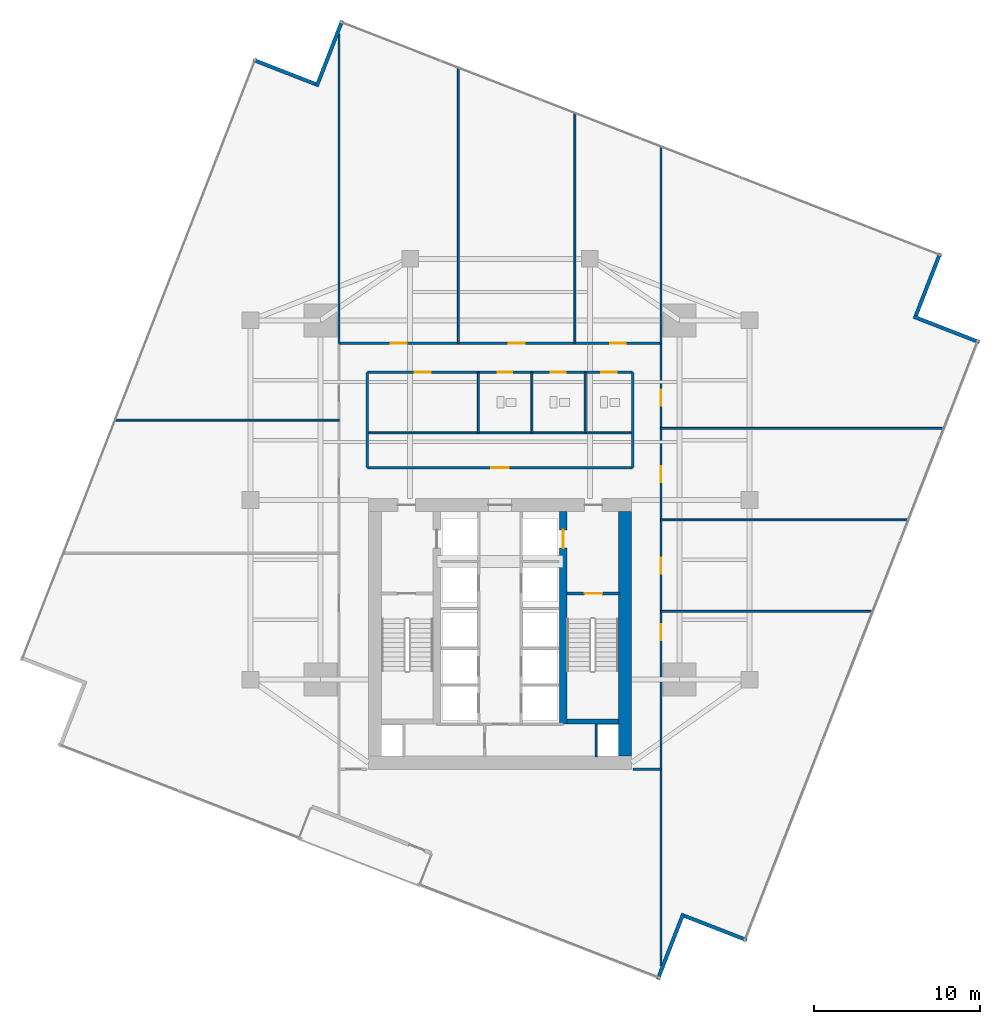
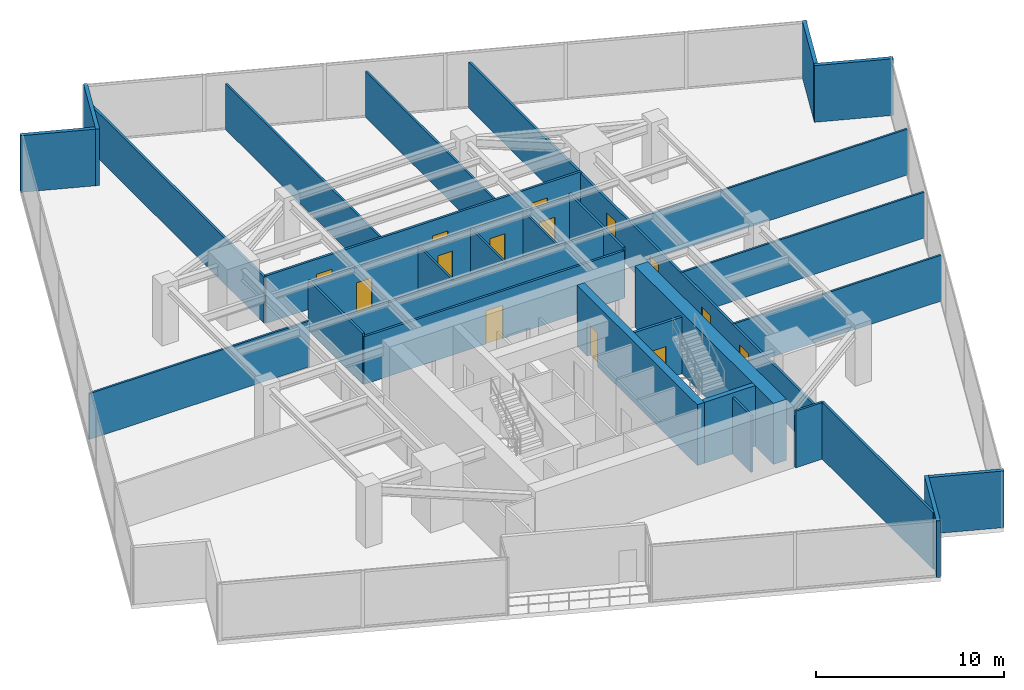
# One storey, part 23 of 26: 31 walls, 14 doors, 14 openings.
"""IFC4 building model written with IfcOpenShell, lengths in metres."""

from ifc_helpers import new_model, si_unit, direction, frame, frame_2d, origin, place, context, subcontext, project, spatial, rectangle, extrude, material, layer, layer_set, type_object, element, fill, save


model = new_model("IFC4")

# Units and contexts
model_context = context("Model", 3, precision=1e-05, world=origin(), true_north=direction((0.0, 1.0)))
body_context = subcontext(model_context, "Body", "Model", "MODEL_VIEW")
ifc_project = project(units=[si_unit("LENGTHUNIT", "METRE"), si_unit("AREAUNIT", "SQUARE_METRE"), si_unit("VOLUMEUNIT", "CUBIC_METRE"), si_unit("PLANEANGLEUNIT", "RADIAN"), si_unit("MASSUNIT", "GRAM", prefix="KILO")], contexts=[model_context])

# Site, building, storey
site_placement = place(None, origin())
site = spatial("IfcSite", under=ifc_project, at=site_placement, CompositionType="ELEMENT")
building_placement = place(site_placement, origin())
building = spatial("IfcBuilding", under=site, at=building_placement, Name="Krantzveldt Concourse Tower", CompositionType="ELEMENT")
storey_placement = place(building_placement, frame((0.0, 0.0, 129.550048828125)))
storey = spatial("IfcBuildingStorey", under=building, at=storey_placement, Name="L31", CompositionType="ELEMENT", Elevation=129.550048828125)

# Walls
ifc_material_1 = material(Name="Anodised aluminium 6063-T6", Category="aluminium")
ifc_layer_1 = layer(ifc_material_1, 0.219970703125, Name="Anodised aluminium 6063-T6", Category="aluminium")
ifc_layer_set_1 = layer_set([ifc_layer_1], Name="Anodised aluminium 6063-T6 (WL-EXT-NOTCH220)")
wall_type_1 = type_object("IfcWallType", Name="WL-EXT-NOTCH220", PredefinedType="ELEMENTEDWALL", material=ifc_layer_set_1)
wall_1_placement = place(storey_placement, frame((24.910400390625, 51.709716796875, 0.0), z_axis=(0.0, 0.0, 1.0), x_axis=(-0.932010363197, 0.362431625129, 0.0)))
element("IfcWall", 1, at=wall_1_placement, inside=storey, type_object=wall_type_1, Name="EW-L31-NCH00", PredefinedType="ELEMENTEDWALL", context=body_context, shape_type="SweptSolid", body=[
    extrude(rectangle(XDim=4.02490234375, YDim=0.219970703125, at=frame_2d((2.012451171875, 0.0))), origin(), (0.0, 0.0, 1.0), 3.669921875),
])
wall_2_placement = place(storey_placement, frame((45.48828125, -2.123779296875, 0.0), z_axis=(0.0, 0.0, 1.0), x_axis=(0.362429609335, 0.932011147078, 0.0)))
element("IfcWall", 2, at=wall_2_placement, inside=storey, type_object=wall_type_1, Name="EW-L31-NCH09", PredefinedType="ELEMENTEDWALL", context=body_context, shape_type="SweptSolid", body=[
    extrude(rectangle(XDim=4.2451171875, YDim=0.219970703125, at=frame_2d((2.12255859375, 0.0))), origin(), (0.0, 0.0, 1.0), 3.669921875),
])
wall_3_placement = place(storey_placement, frame((47.089599609375, 1.690185546875, 0.0), z_axis=(0.0, 0.0, 1.0), x_axis=(0.932010363197, -0.362431625129, 0.0)))
element("IfcWall", 3, at=wall_3_placement, inside=storey, type_object=wall_type_1, Name="EW-L31-NCH10", PredefinedType="ELEMENTEDWALL", context=body_context, shape_type="SweptSolid", body=[
    extrude(rectangle(XDim=4.02490234375, YDim=0.219970703125, at=frame_2d((2.012451171875, 0.0))), origin(), (0.0, 0.0, 1.0), 3.669921875),
])
wall_4_placement = place(storey_placement, frame((64.82373046875, 36.188232421875, 0.0), z_axis=(0.0, 0.0, 1.0), x_axis=(-0.932003592198, 0.362449036596, 0.0)))
element("IfcWall", 4, at=wall_4_placement, inside=storey, type_object=wall_type_1, Name="EW-L31-NCH12", PredefinedType="ELEMENTEDWALL", context=body_context, shape_type="SweptSolid", body=[
    extrude(rectangle(XDim=4.244873046875, YDim=0.219970703125, at=frame_2d((2.12255859375, 0.0))), origin(), (0.0, 0.0, 1.0), 3.669921875),
])
wall_5_placement = place(storey_placement, frame((61.009765625, 37.78955078125, 0.0), z_axis=(0.0, 0.0, 1.0), x_axis=(0.362431625129, 0.932010363197, 0.0)))
element("IfcWall", 5, at=wall_5_placement, inside=storey, type_object=wall_type_1, Name="EW-L31-NCH13", PredefinedType="ELEMENTEDWALL", context=body_context, shape_type="SweptSolid", body=[
    extrude(rectangle(XDim=4.02490234375, YDim=0.219970703125, at=frame_2d((2.012451171875, 0.0))), origin(), (0.0, 0.0, 1.0), 3.669921875),
])
wall_6_placement = place(storey_placement, frame((26.51171875, 55.523681640625, 0.0), z_axis=(0.0, 0.0, 1.0), x_axis=(-0.362449036596, -0.932003592198, 0.0)))
element("IfcWall", 6, at=wall_6_placement, inside=storey, type_object=wall_type_1, Name="EW-L31-NCH15", PredefinedType="ELEMENTEDWALL", context=body_context, shape_type="SweptSolid", body=[
    extrude(rectangle(XDim=4.244873046875, YDim=0.219970703125, at=frame_2d((2.12255859375, 0.0))), origin(), (0.0, 0.0, 1.0), 3.669921875),
])
ifc_material_2 = material(Name="Fire-rated gypsum plasterboard on steel stud", Category="steel")
ifc_layer_2 = layer(ifc_material_2, 0.1201171875, Name="Fire-rated gypsum plasterboard on steel stud", Category="steel")
ifc_layer_set_2 = layer_set([ifc_layer_2], Name="Fire-rated gypsum plasterboard on steel stud (WL-PART-120)")
wall_type_2 = type_object("IfcWallType", Name="WL-PART-120", PredefinedType="PARTITIONING", material=ifc_layer_set_2)
wall_7_placement = place(storey_placement, frame((28.02001953125, 30.739990234375, 0.0), z_axis=(0.0, 0.0, 1.0), x_axis=(1.0, 0.0, 0.0)))
element("IfcWall", 7, at=wall_7_placement, inside=storey, type_object=wall_type_2, Name="WP-L31-ISLM", PredefinedType="PARTITIONING", context=body_context, shape_type="SweptSolid", body=[
    extrude(rectangle(XDim=15.9599609375, YDim=0.1201171875, at=frame_2d((7.97998046875, 0.0))), origin(), (0.0, 0.0, 1.0), 3.079833984375),
])
for number, where, z_axis, x_axis, name in (
    (8, (37.919921875, 30.739990234375, 0.0), (0.0, 0.0, 1.0), (0.0, 1.0, 0.0), "WP-L31-WCD1"),
    (9, (41.1201171875, 30.739990234375, 0.0), (0.0, 0.0, 1.0), (0.0, 1.0, 0.0), "WP-L31-WCD2"),
    (10, (34.699951171875, 30.739990234375, 0.0), (0.0, 0.0, 1.0), (0.0, 1.0, 0.0), "WP-L31-WCD3"),
):
    element("IfcWall", number, at=place(storey_placement, frame(where, z_axis=z_axis, x_axis=x_axis)), inside=storey, type_object=wall_type_2, Name=name, PredefinedType="PARTITIONING", context=body_context, shape_type="SweptSolid", body=[
        extrude(rectangle(XDim=3.639892578125, YDim=0.1201171875, at=frame_2d((1.81982421875, 0.0))), origin(), (0.0, 0.0, 1.0), 3.169921875),
    ])
wall_8_placement = place(storey_placement, frame((33.5, 36.1201171875, 0.0), z_axis=(0.0, 0.0, 1.0), x_axis=(0.0, 1.0, 0.0)))
element("IfcWall", 11, at=wall_8_placement, inside=storey, type_object=wall_type_2, Name="WP-L31-ND1", PredefinedType="PARTITIONING", context=body_context, shape_type="SweptSolid", body=[
    extrude(rectangle(XDim=16.5625, YDim=0.1201171875, at=frame_2d((8.28125, 0.0))), origin(), (0.0, 0.0, 1.0), 2.969970703125),
])
wall_9_placement = place(storey_placement, frame((40.5, 36.1201171875, 0.0), z_axis=(0.0, 0.0, 1.0), x_axis=(0.0, 1.0, 0.0)))
element("IfcWall", 12, at=wall_9_placement, inside=storey, type_object=wall_type_2, Name="WP-L31-ND2", PredefinedType="PARTITIONING", context=body_context, shape_type="SweptSolid", body=[
    extrude(rectangle(XDim=13.840576171875, YDim=0.1201171875, at=frame_2d((6.92041015625, 0.0))), origin(), (0.0, 0.0, 1.0), 2.969970703125),
])
wall_10_placement = place(storey_placement, frame((12.856201171875, 31.5, 0.0), z_axis=(0.0, 0.0, 1.0), x_axis=(1.0, 0.0, 0.0)))
element("IfcWall", 13, at=wall_10_placement, inside=storey, type_object=wall_type_2, Name="WP-L31-WD2", PredefinedType="PARTITIONING", context=body_context, shape_type="SweptSolid", body=[
    extrude(rectangle(XDim=13.4638671875, YDim=0.1201171875, at=frame_2d((6.73193359375, 0.0))), origin(), (0.0, 0.0, 1.0), 2.969970703125),
])
wall_11_placement = place(storey_placement, frame((45.679931640625, 20.0, 0.0), z_axis=(0.0, 0.0, 1.0), x_axis=(1.0, 0.0, 0.0)))
element("IfcWall", 14, at=wall_11_placement, inside=storey, type_object=wall_type_2, Name="WP-L31-ED1", PredefinedType="PARTITIONING", context=body_context, shape_type="SweptSolid", body=[
    extrude(rectangle(XDim=12.72509765625, YDim=0.1201171875, at=frame_2d((6.362548828125, 0.0))), origin(), (0.0, 0.0, 1.0), 2.969970703125),
])
wall_12_placement = place(storey_placement, frame((45.679931640625, 25.5, 0.0), z_axis=(0.0, 0.0, 1.0), x_axis=(1.0, 0.0, 0.0)))
element("IfcWall", 15, at=wall_12_placement, inside=storey, type_object=wall_type_2, Name="WP-L31-ED2", PredefinedType="PARTITIONING", context=body_context, shape_type="SweptSolid", body=[
    extrude(rectangle(XDim=14.864013671875, YDim=0.1201171875, at=frame_2d((7.43212890625, 0.0))), origin(), (0.0, 0.0, 1.0), 2.969970703125),
])
wall_13_placement = place(storey_placement, frame((45.679931640625, 31.0, 0.0), z_axis=(0.0, 0.0, 1.0), x_axis=(1.0, 0.0, 0.0)))
element("IfcWall", 16, at=wall_13_placement, inside=storey, type_object=wall_type_2, Name="WP-L31-ED3", PredefinedType="PARTITIONING", context=body_context, shape_type="SweptSolid", body=[
    extrude(rectangle(XDim=17.002685546875, YDim=0.1201171875, at=frame_2d((8.50146484375, 0.0))), origin(), (0.0, 0.0, 1.0), 2.969970703125),
])

# Wall, opening, door
ifc_layer_3 = layer(ifc_material_2, 0.139892578125, Name="Fire-rated gypsum plasterboard on steel stud", Category="steel")
ifc_layer_set_3 = layer_set([ifc_layer_3], Name="Fire-rated gypsum plasterboard on steel stud (WL-PART-140)")
wall_type_3 = type_object("IfcWallType", Name="WL-PART-140", PredefinedType="PARTITIONING", material=ifc_layer_set_3)
wall_14_placement = place(storey_placement, frame((28.02001953125, 28.639892578125, 0.0), z_axis=(0.0, 0.0, 1.0), x_axis=(1.0, 0.0, 0.0)))
wall_14 = element("IfcWall", 17, at=wall_14_placement, inside=storey, type_object=wall_type_3, Name="WP-L31-ISLS", PredefinedType="PARTITIONING", context=body_context, shape_type="SweptSolid", body=[
    extrude(rectangle(XDim=15.9599609375, YDim=0.139892578125, at=frame_2d((7.97998046875, 0.0))), origin(), (0.0, 0.0, 1.0), 3.079833984375),
])
opening_1_placement = place(wall_14_placement, frame((7.455078125, 0.0, 0.0)))
opening_1 = element("IfcOpeningElement", 18, at=opening_1_placement, cuts=wall_14, Name="Opening D-IN105", PredefinedType="OPENING", context=body_context, shape_type="SweptSolid", body=[
    extrude(rectangle(XDim=1.050048828125, YDim=2.14990234375, at=frame_2d((0.52490234375, 1.074951171875))), frame((0.0, 0.080078125, 0.0), z_axis=(0.0, -1.0, 0.0), x_axis=(1.0, 0.0, 0.0)), (0.0, 0.0, 1.0), 0.159912109375),
])
ifc_material_3 = material(Name="Hardwood timber", Category="wood")
door_type_1 = type_object("IfcDoorType", Name="DR-INT-1050", OperationType="SINGLE_SWING_LEFT", PredefinedType="DOOR", material=ifc_material_3)
door_1_placement = place(opening_1_placement, origin())
door_1 = element("IfcDoor", 19, at=door_1_placement, inside=storey, type_object=door_type_1, Name="DR-L31-MIDB", OperationType="SINGLE_SWING_LEFT", OverallHeight=2.14990234375, OverallWidth=1.050048828125, PredefinedType="DOOR", context=body_context, shape_type="SweptSolid", body=[
    extrude(rectangle(XDim=1.050048828125, YDim=2.14990234375, at=frame_2d((0.52490234375, 1.074951171875))), frame((0.0, 0.02490234375, 0.0), z_axis=(0.0, -1.0, 0.0), x_axis=(1.0, 0.0, 0.0)), (0.0, 0.0, 1.0), 0.050048828125),
])
fill(opening_1, door_1)

# Wall, openings, doors
wall_15_placement = place(storey_placement, frame((28.02001953125, 34.3798828125, 0.0), z_axis=(0.0, 0.0, 1.0), x_axis=(1.0, 0.0, 0.0)))
wall_15 = element("IfcWall", 20, at=wall_15_placement, inside=storey, type_object=wall_type_3, Name="WP-L31-ISLN", PredefinedType="PARTITIONING", context=body_context, shape_type="SweptSolid", body=[
    extrude(rectangle(XDim=15.9599609375, YDim=0.139892578125, at=frame_2d((7.97998046875, 0.0))), origin(), (0.0, 0.0, 1.0), 3.079833984375),
])
opening_2_placement = place(wall_15_placement, frame((7.830078125, 0.0, 0.0)))
opening_2 = element("IfcOpeningElement", 21, at=opening_2_placement, cuts=wall_15, Name="Opening D-IN090", PredefinedType="OPENING", context=body_context, shape_type="SweptSolid", body=[
    extrude(rectangle(XDim=0.89990234375, YDim=2.10009765625, at=frame_2d((0.449951171875, 1.050048828125))), frame((0.0, 0.080078125, 0.0), z_axis=(0.0, -1.0, 0.0), x_axis=(1.0, 0.0, 0.0)), (0.0, 0.0, 1.0), 0.159912109375),
])
opening_3_placement = place(wall_15_placement, frame((11.030029296875, 0.0, 0.0)))
opening_3 = element("IfcOpeningElement", 22, at=opening_3_placement, cuts=wall_15, Name="Opening D-IN090", PredefinedType="OPENING", context=body_context, shape_type="SweptSolid", body=[
    extrude(rectangle(XDim=0.89990234375, YDim=2.10009765625, at=frame_2d((0.449951171875, 1.050048828125))), frame((0.0, 0.080078125, 0.0), z_axis=(0.0, -1.0, 0.0), x_axis=(1.0, 0.0, 0.0)), (0.0, 0.0, 1.0), 0.159912109375),
])
opening_4_placement = place(wall_15_placement, frame((14.054931640625, 0.0, 0.0)))
opening_4 = element("IfcOpeningElement", 23, at=opening_4_placement, cuts=wall_15, Name="Opening D-IN095", PredefinedType="OPENING", context=body_context, shape_type="SweptSolid", body=[
    extrude(rectangle(XDim=0.949951171875, YDim=2.10009765625, at=frame_2d((0.47509765625, 1.050048828125))), frame((0.0, 0.080078125, 0.0), z_axis=(0.0, -1.0, 0.0), x_axis=(1.0, 0.0, 0.0)), (0.0, 0.0, 1.0), 0.159912109375),
])
opening_5_placement = place(wall_15_placement, frame((2.85498046875, 0.0, 0.0)))
opening_5 = element("IfcOpeningElement", 24, at=opening_5_placement, cuts=wall_15, Name="Opening D-IN095", PredefinedType="OPENING", context=body_context, shape_type="SweptSolid", body=[
    extrude(rectangle(XDim=0.949951171875, YDim=2.10009765625, at=frame_2d((0.47509765625, 1.050048828125))), frame((0.0, 0.080078125, 0.0), z_axis=(0.0, -1.0, 0.0), x_axis=(1.0, 0.0, 0.0)), (0.0, 0.0, 1.0), 0.159912109375),
])
door_type_2 = type_object("IfcDoorType", Name="DR-INT-900", OperationType="SINGLE_SWING_LEFT", PredefinedType="DOOR", material=ifc_material_3)
door_2_placement = place(opening_2_placement, origin())
door_2 = element("IfcDoor", 25, at=door_2_placement, inside=storey, type_object=door_type_2, Name="DR-L31-WCM", OperationType="SINGLE_SWING_LEFT", OverallHeight=2.10009765625, OverallWidth=0.89990234375, PredefinedType="DOOR", context=body_context, shape_type="SweptSolid", body=[
    extrude(rectangle(XDim=0.89990234375, YDim=2.10009765625, at=frame_2d((0.449951171875, 1.050048828125))), frame((0.0, 0.02490234375, 0.0), z_axis=(0.0, -1.0, 0.0), x_axis=(1.0, 0.0, 0.0)), (0.0, 0.0, 1.0), 0.050048828125),
])
fill(opening_2, door_2)
door_3_placement = place(opening_3_placement, origin())
door_3 = element("IfcDoor", 26, at=door_3_placement, inside=storey, type_object=door_type_2, Name="DR-L31-WCF", OperationType="SINGLE_SWING_RIGHT", OverallHeight=2.10009765625, OverallWidth=0.89990234375, PredefinedType="DOOR", context=body_context, shape_type="SweptSolid", body=[
    extrude(rectangle(XDim=0.89990234375, YDim=2.10009765625, at=frame_2d((0.449951171875, 1.050048828125))), frame((0.0, 0.02490234375, 0.0), z_axis=(0.0, -1.0, 0.0), x_axis=(1.0, 0.0, 0.0)), (0.0, 0.0, 1.0), 0.050048828125),
])
fill(opening_3, door_3)
door_type_3 = type_object("IfcDoorType", Name="DR-INT-950", OperationType="SINGLE_SWING_LEFT", PredefinedType="DOOR", material=ifc_material_3)
door_4_placement = place(opening_4_placement, origin())
door_4 = element("IfcDoor", 27, at=door_4_placement, inside=storey, type_object=door_type_3, Name="DR-L31-WCA", OperationType="SINGLE_SWING_LEFT", OverallHeight=2.10009765625, OverallWidth=0.949951171875, PredefinedType="DOOR", context=body_context, shape_type="SweptSolid", body=[
    extrude(rectangle(XDim=0.949951171875, YDim=2.10009765625, at=frame_2d((0.47509765625, 1.050048828125))), frame((0.0, 0.02490234375, 0.0), z_axis=(0.0, -1.0, 0.0), x_axis=(1.0, 0.0, 0.0)), (0.0, 0.0, 1.0), 0.050048828125),
])
fill(opening_4, door_4)
door_5_placement = place(opening_5_placement, origin())
door_5 = element("IfcDoor", 28, at=door_5_placement, inside=storey, type_object=door_type_3, Name="DR-L31-PNT", OperationType="SINGLE_SWING_RIGHT", OverallHeight=2.10009765625, OverallWidth=0.949951171875, PredefinedType="DOOR", context=body_context, shape_type="SweptSolid", body=[
    extrude(rectangle(XDim=0.949951171875, YDim=2.10009765625, at=frame_2d((0.47509765625, 1.050048828125))), frame((0.0, 0.02490234375, 0.0), z_axis=(0.0, -1.0, 0.0), x_axis=(1.0, 0.0, 0.0)), (0.0, 0.0, 1.0), 0.050048828125),
])
fill(opening_5, door_5)

# Walls
for number, where, z_axis, x_axis, name in (
    (29, (28.02001953125, 28.639892578125, 0.0), (0.0, 0.0, 1.0), (0.0, 1.0, 0.0), "WP-L31-ISLW"),
    (30, (43.97998046875, 28.639892578125, 0.0), (0.0, 0.0, 1.0), (0.0, 1.0, 0.0), "WP-L31-ISLE"),
):
    element("IfcWall", number, at=place(storey_placement, frame(where, z_axis=z_axis, x_axis=x_axis)), inside=storey, type_object=wall_type_3, Name=name, PredefinedType="PARTITIONING", context=body_context, shape_type="SweptSolid", body=[
        extrude(rectangle(XDim=5.739990234375, YDim=0.139892578125, at=frame_2d((2.8701171875, 0.0))), origin(), (0.0, 0.0, 1.0), 3.27001953125),
    ])

# Wall, openings, doors
wall_16_placement = place(storey_placement, frame((26.320068359375, 36.1201171875, 0.0), z_axis=(0.0, 0.0, 1.0), x_axis=(1.0, 0.0, 0.0)))
wall_16 = element("IfcWall", 31, at=wall_16_placement, inside=storey, type_object=wall_type_3, Name="WP-L31-CTOP", PredefinedType="PARTITIONING", context=body_context, shape_type="SweptSolid", body=[
    extrude(rectangle(XDim=19.35986328125, YDim=0.139892578125, at=frame_2d((9.679931640625, 0.0))), origin(), (0.0, 0.0, 1.0), 3.079833984375),
])
opening_6_placement = place(wall_16_placement, frame((3.114990234375, 0.0, 0.0)))
opening_6 = element("IfcOpeningElement", 32, at=opening_6_placement, cuts=wall_16, Name="Opening D-IN095", PredefinedType="OPENING", context=body_context, shape_type="SweptSolid", body=[
    extrude(rectangle(XDim=0.949951171875, YDim=2.10009765625, at=frame_2d((0.47509765625, 1.050048828125))), frame((0.0, 0.080078125, 0.0), z_axis=(0.0, -1.0, 0.0), x_axis=(1.0, 0.0, 0.0)), (0.0, 0.0, 1.0), 0.159912109375),
])
opening_7_placement = place(wall_16_placement, frame((10.205078125, 0.0, 0.0)))
opening_7 = element("IfcOpeningElement", 33, at=opening_7_placement, cuts=wall_16, Name="Opening D-IN095", PredefinedType="OPENING", context=body_context, shape_type="SweptSolid", body=[
    extrude(rectangle(XDim=0.949951171875, YDim=2.10009765625, at=frame_2d((0.47509765625, 1.050048828125))), frame((0.0, 0.080078125, 0.0), z_axis=(0.0, -1.0, 0.0), x_axis=(1.0, 0.0, 0.0)), (0.0, 0.0, 1.0), 0.159912109375),
])
opening_8_placement = place(wall_16_placement, frame((16.294921875, 0.0, 0.0)))
opening_8 = element("IfcOpeningElement", 34, at=opening_8_placement, cuts=wall_16, Name="Opening D-IN095", PredefinedType="OPENING", context=body_context, shape_type="SweptSolid", body=[
    extrude(rectangle(XDim=0.949951171875, YDim=2.10009765625, at=frame_2d((0.47509765625, 1.050048828125))), frame((0.0, 0.080078125, 0.0), z_axis=(0.0, -1.0, 0.0), x_axis=(1.0, 0.0, 0.0)), (0.0, 0.0, 1.0), 0.159912109375),
])
door_6_placement = place(opening_6_placement, origin())
door_6 = element("IfcDoor", 35, at=door_6_placement, inside=storey, type_object=door_type_3, Name="DR-L31-NR1", OperationType="SINGLE_SWING_LEFT", OverallHeight=2.10009765625, OverallWidth=0.949951171875, PredefinedType="DOOR", context=body_context, shape_type="SweptSolid", body=[
    extrude(rectangle(XDim=0.949951171875, YDim=2.10009765625, at=frame_2d((0.47509765625, 1.050048828125))), frame((0.0, 0.02490234375, 0.0), z_axis=(0.0, -1.0, 0.0), x_axis=(1.0, 0.0, 0.0)), (0.0, 0.0, 1.0), 0.050048828125),
])
fill(opening_6, door_6)
door_7_placement = place(opening_7_placement, origin())
door_7 = element("IfcDoor", 36, at=door_7_placement, inside=storey, type_object=door_type_3, Name="DR-L31-NR2", OperationType="SINGLE_SWING_LEFT", OverallHeight=2.10009765625, OverallWidth=0.949951171875, PredefinedType="DOOR", context=body_context, shape_type="SweptSolid", body=[
    extrude(rectangle(XDim=0.949951171875, YDim=2.10009765625, at=frame_2d((0.47509765625, 1.050048828125))), frame((0.0, 0.02490234375, 0.0), z_axis=(0.0, -1.0, 0.0), x_axis=(1.0, 0.0, 0.0)), (0.0, 0.0, 1.0), 0.050048828125),
])
fill(opening_7, door_7)
door_8_placement = place(opening_8_placement, origin())
door_8 = element("IfcDoor", 37, at=door_8_placement, inside=storey, type_object=door_type_3, Name="DR-L31-NR3", OperationType="SINGLE_SWING_LEFT", OverallHeight=2.10009765625, OverallWidth=0.949951171875, PredefinedType="DOOR", context=body_context, shape_type="SweptSolid", body=[
    extrude(rectangle(XDim=0.949951171875, YDim=2.10009765625, at=frame_2d((0.47509765625, 1.050048828125))), frame((0.0, 0.02490234375, 0.0), z_axis=(0.0, -1.0, 0.0), x_axis=(1.0, 0.0, 0.0)), (0.0, 0.0, 1.0), 0.050048828125),
])
fill(opening_8, door_8)

wall_17_placement = place(storey_placement, frame((45.679931640625, 10.5, 0.0), z_axis=(0.0, 0.0, 1.0), x_axis=(0.0, 1.0, 0.0)))
wall_17 = element("IfcWall", 38, at=wall_17_placement, inside=storey, type_object=wall_type_3, Name="WP-L31-CEAST", PredefinedType="PARTITIONING", context=body_context, shape_type="SweptSolid", body=[
    extrude(rectangle(XDim=25.6201171875, YDim=0.139892578125, at=frame_2d((12.81005859375, 0.0))), origin(), (0.0, 0.0, 1.0), 2.969970703125),
])
opening_9_placement = place(wall_17_placement, frame((7.77490234375, 0.0, 0.0)))
opening_9 = element("IfcOpeningElement", 39, at=opening_9_placement, cuts=wall_17, Name="Opening D-IN095", PredefinedType="OPENING", context=body_context, shape_type="SweptSolid", body=[
    extrude(rectangle(XDim=0.949951171875, YDim=2.10009765625, at=frame_2d((0.47509765625, 1.050048828125))), frame((0.0, 0.080078125, 0.0), z_axis=(0.0, -1.0, 0.0), x_axis=(1.0, 0.0, 0.0)), (0.0, 0.0, 1.0), 0.159912109375),
])
opening_10_placement = place(wall_17_placement, frame((11.77490234375, 0.0, 0.0)))
opening_10 = element("IfcOpeningElement", 40, at=opening_10_placement, cuts=wall_17, Name="Opening D-IN095", PredefinedType="OPENING", context=body_context, shape_type="SweptSolid", body=[
    extrude(rectangle(XDim=0.949951171875, YDim=2.10009765625, at=frame_2d((0.47509765625, 1.050048828125))), frame((0.0, 0.080078125, 0.0), z_axis=(0.0, -1.0, 0.0), x_axis=(1.0, 0.0, 0.0)), (0.0, 0.0, 1.0), 0.159912109375),
])
opening_11_placement = place(wall_17_placement, frame((17.27490234375, 0.0, 0.0)))
opening_11 = element("IfcOpeningElement", 41, at=opening_11_placement, cuts=wall_17, Name="Opening D-IN095", PredefinedType="OPENING", context=body_context, shape_type="SweptSolid", body=[
    extrude(rectangle(XDim=0.949951171875, YDim=2.10009765625, at=frame_2d((0.47509765625, 1.050048828125))), frame((0.0, 0.080078125, 0.0), z_axis=(0.0, -1.0, 0.0), x_axis=(1.0, 0.0, 0.0)), (0.0, 0.0, 1.0), 0.159912109375),
])
opening_12_placement = place(wall_17_placement, frame((21.875, 0.0, 0.0)))
opening_12 = element("IfcOpeningElement", 42, at=opening_12_placement, cuts=wall_17, Name="Opening D-IN095", PredefinedType="OPENING", context=body_context, shape_type="SweptSolid", body=[
    extrude(rectangle(XDim=0.949951171875, YDim=2.10009765625, at=frame_2d((0.47509765625, 1.050048828125))), frame((0.0, 0.080078125, 0.0), z_axis=(0.0, -1.0, 0.0), x_axis=(1.0, 0.0, 0.0)), (0.0, 0.0, 1.0), 0.159912109375),
])
door_9_placement = place(opening_9_placement, origin())
door_9 = element("IfcDoor", 43, at=door_9_placement, inside=storey, type_object=door_type_3, Name="DR-L31-ER1", OperationType="SINGLE_SWING_LEFT", OverallHeight=2.10009765625, OverallWidth=0.949951171875, PredefinedType="DOOR", context=body_context, shape_type="SweptSolid", body=[
    extrude(rectangle(XDim=0.949951171875, YDim=2.10009765625, at=frame_2d((0.47509765625, 1.050048828125))), frame((0.0, 0.02490234375, 0.0), z_axis=(0.0, -1.0, 0.0), x_axis=(1.0, 0.0, 0.0)), (0.0, 0.0, 1.0), 0.050048828125),
])
fill(opening_9, door_9)
door_10_placement = place(opening_10_placement, origin())
door_10 = element("IfcDoor", 44, at=door_10_placement, inside=storey, type_object=door_type_3, Name="DR-L31-ER2", OperationType="SINGLE_SWING_LEFT", OverallHeight=2.10009765625, OverallWidth=0.949951171875, PredefinedType="DOOR", context=body_context, shape_type="SweptSolid", body=[
    extrude(rectangle(XDim=0.949951171875, YDim=2.10009765625, at=frame_2d((0.47509765625, 1.050048828125))), frame((0.0, 0.02490234375, 0.0), z_axis=(0.0, -1.0, 0.0), x_axis=(1.0, 0.0, 0.0)), (0.0, 0.0, 1.0), 0.050048828125),
])
fill(opening_10, door_10)
door_11_placement = place(opening_11_placement, origin())
door_11 = element("IfcDoor", 45, at=door_11_placement, inside=storey, type_object=door_type_3, Name="DR-L31-ER3", OperationType="SINGLE_SWING_LEFT", OverallHeight=2.10009765625, OverallWidth=0.949951171875, PredefinedType="DOOR", context=body_context, shape_type="SweptSolid", body=[
    extrude(rectangle(XDim=0.949951171875, YDim=2.10009765625, at=frame_2d((0.47509765625, 1.050048828125))), frame((0.0, 0.02490234375, 0.0), z_axis=(0.0, -1.0, 0.0), x_axis=(1.0, 0.0, 0.0)), (0.0, 0.0, 1.0), 0.050048828125),
])
fill(opening_11, door_11)
door_12_placement = place(opening_12_placement, origin())
door_12 = element("IfcDoor", 46, at=door_12_placement, inside=storey, type_object=door_type_3, Name="DR-L31-ER4", OperationType="SINGLE_SWING_LEFT", OverallHeight=2.10009765625, OverallWidth=0.949951171875, PredefinedType="DOOR", context=body_context, shape_type="SweptSolid", body=[
    extrude(rectangle(XDim=0.949951171875, YDim=2.10009765625, at=frame_2d((0.47509765625, 1.050048828125))), frame((0.0, 0.02490234375, 0.0), z_axis=(0.0, -1.0, 0.0), x_axis=(1.0, 0.0, 0.0)), (0.0, 0.0, 1.0), 0.050048828125),
])
fill(opening_12, door_12)

# Walls
wall_18_placement = place(storey_placement, frame((44.0, 10.5, 0.0), z_axis=(0.0, 0.0, 1.0), x_axis=(1.0, 0.0, 0.0)))
element("IfcWall", 47, at=wall_18_placement, inside=storey, type_object=wall_type_3, Name="WP-L31-CEBOT", PredefinedType="PARTITIONING", context=body_context, shape_type="SweptSolid", body=[
    extrude(rectangle(XDim=1.679931640625, YDim=0.139892578125, at=frame_2d((0.83984375, 0.0))), origin(), (0.0, 0.0, 1.0), 3.669921875),
])
wall_19_placement = place(storey_placement, frame((26.320068359375, 36.1201171875, 0.0), z_axis=(0.0, 0.0, 1.0), x_axis=(0.0, 1.0, 0.0)))
element("IfcWall", 48, at=wall_19_placement, inside=storey, type_object=wall_type_3, Name="WP-L31-NWL", PredefinedType="PARTITIONING", context=body_context, shape_type="SweptSolid", body=[
    extrude(rectangle(XDim=18.593505859375, YDim=0.139892578125, at=frame_2d((9.296875, 0.0))), origin(), (0.0, 0.0, 1.0), 2.969970703125),
])
wall_20_placement = place(storey_placement, frame((45.679931640625, 36.1201171875, 0.0), z_axis=(0.0, 0.0, 1.0), x_axis=(0.0, 1.0, 0.0)))
element("IfcWall", 49, at=wall_20_placement, inside=storey, type_object=wall_type_3, Name="WP-L31-NER", PredefinedType="PARTITIONING", context=body_context, shape_type="SweptSolid", body=[
    extrude(rectangle(XDim=11.826171875, YDim=0.139892578125, at=frame_2d((5.9130859375, 0.0))), origin(), (0.0, 0.0, 1.0), 2.969970703125),
])
wall_21_placement = place(storey_placement, frame((45.679931640625, -1.3134765625, 0.0), z_axis=(0.0, 0.0, 1.0), x_axis=(0.0, 1.0, 0.0)))
element("IfcWall", 50, at=wall_21_placement, inside=storey, type_object=wall_type_3, Name="WP-L31-SER", PredefinedType="PARTITIONING", context=body_context, shape_type="SweptSolid", body=[
    extrude(rectangle(XDim=11.8134765625, YDim=0.139892578125, at=frame_2d((5.90673828125, 0.0))), origin(), (0.0, 0.0, 1.0), 3.669921875),
])
ifc_layer_4 = layer(ifc_material_2, 0.139892578125, Name="Fire-rated gypsum plasterboard on steel stud", Category="steel")
ifc_layer_set_4 = layer_set([ifc_layer_4], Name="Fire-rated gypsum plasterboard on steel stud (WL-PART-FR140)")
wall_type_4 = type_object("IfcWallType", Name="WL-PART-FR140", PredefinedType="PARTITIONING", material=ifc_layer_set_4)
wall_22_placement = place(storey_placement, frame((41.780029296875, 11.25, 0.0), z_axis=(0.0, 0.0, 1.0), x_axis=(0.0, 1.0, 0.0)))
element("IfcWall", 51, at=wall_22_placement, inside=storey, type_object=wall_type_4, Name="WP-L31-RSE", PredefinedType="PARTITIONING", context=body_context, shape_type="SweptSolid", body=[
    extrude(rectangle(XDim=1.969970703125, YDim=0.1201171875, at=frame_2d((0.98486328125, 0.0))), origin(), (0.0, 0.0, 1.0), 3.669921875),
])

# Wall, opening, door
ifc_layer_5 = layer(ifc_material_2, 0.159912109375, Name="Fire-rated gypsum plasterboard on steel stud", Category="steel")
ifc_layer_set_5 = layer_set([ifc_layer_5], Name="Fire-rated gypsum plasterboard on steel stud (WL-PART-FR160)")
wall_type_5 = type_object("IfcWallType", Name="WL-PART-FR160", PredefinedType="PARTITIONING", material=ifc_layer_set_5)
wall_23_placement = place(storey_placement, frame((40.0400390625, 21.080078125, 0.0), z_axis=(0.0, 0.0, 1.0), x_axis=(1.0, 0.0, 0.0)))
wall_23 = element("IfcWall", 52, at=wall_23_placement, inside=storey, type_object=wall_type_5, Name="WP-L31-ST2", PredefinedType="PARTITIONING", context=body_context, shape_type="SweptSolid", body=[
    extrude(rectangle(XDim=3.159912109375, YDim=0.159912109375, at=frame_2d((1.580078125, 0.0))), origin(), (0.0, 0.0, 1.0), 3.669921875),
])
opening_13_placement = place(wall_23_placement, frame((1.054931640625, 0.0, 0.0)))
opening_13 = element("IfcOpeningElement", 53, at=opening_13_placement, cuts=wall_23, Name="Opening D-FD105", PredefinedType="OPENING", context=body_context, shape_type="SweptSolid", body=[
    extrude(rectangle(XDim=1.050048828125, YDim=2.10009765625, at=frame_2d((0.52490234375, 1.050048828125))), frame((0.0, 0.08984375, 0.0), z_axis=(0.0, -1.0, 0.0), x_axis=(1.0, 0.0, 0.0)), (0.0, 0.0, 1.0), 0.179931640625),
])
ifc_material_4 = material(Name="Galvanised steel", Category="steel")
door_type_4 = type_object("IfcDoorType", Name="DR-FD120-1050", OperationType="SINGLE_SWING_LEFT", PredefinedType="DOOR", material=ifc_material_4)
door_13_placement = place(opening_13_placement, origin())
door_13 = element("IfcDoor", 54, at=door_13_placement, inside=storey, type_object=door_type_4, Name="DR-L31-ST2", OperationType="SINGLE_SWING_LEFT", OverallHeight=2.10009765625, OverallWidth=1.050048828125, PredefinedType="DOOR", context=body_context, shape_type="SweptSolid", body=[
    extrude(rectangle(XDim=1.050048828125, YDim=2.10009765625, at=frame_2d((0.52490234375, 1.050048828125))), frame((0.0, 0.02490234375, 0.0), z_axis=(0.0, -1.0, 0.0), x_axis=(1.0, 0.0, 0.0)), (0.0, 0.0, 1.0), 0.050048828125),
])
fill(opening_13, door_13)

# Wall
ifc_material_5 = material(Name="Concrete C50/60", Category="concrete")
ifc_layer_6 = layer(ifc_material_5, 0.300048828125, Name="Concrete C50/60", Category="concrete")
ifc_layer_set_6 = layer_set([ifc_layer_6], Name="Concrete C50/60 (WL-SHEAR-300)")
wall_type_6 = type_object("IfcWallType", Name="WL-SHEAR-300", PredefinedType="SHEAR", material=ifc_layer_set_6)
wall_24_placement = place(storey_placement, frame((40.02001953125, 13.3701171875, 0.0), z_axis=(0.0, 0.0, 1.0), x_axis=(1.0, 0.0, 0.0)))
element("IfcWall", 55, at=wall_24_placement, inside=storey, type_object=wall_type_6, Name="CW-L31-ST2S", PredefinedType="SHEAR", context=body_context, shape_type="SweptSolid", body=[
    extrude(rectangle(XDim=3.10009765625, YDim=0.300048828125, at=frame_2d((1.550048828125, 0.0))), origin(), (0.0, 0.0, 1.0), 3.949951171875),
])

# Wall, opening, door
ifc_layer_7 = layer(ifc_material_5, 0.449951171875, Name="Concrete C50/60", Category="concrete")
ifc_layer_set_7 = layer_set([ifc_layer_7], Name="Concrete C50/60 (WL-SHEAR-450)")
wall_type_7 = type_object("IfcWallType", Name="WL-SHEAR-450", PredefinedType="SHEAR", material=ifc_layer_set_7)
wall_25_placement = place(storey_placement, frame((39.794921875, 13.219970703125, 0.0), z_axis=(0.0, 0.0, 1.0), x_axis=(0.0, 1.0, 0.0)))
wall_25 = element("IfcWall", 56, at=wall_25_placement, inside=storey, type_object=wall_type_7, Name="CW-L31-IE", PredefinedType="SHEAR", context=body_context, shape_type="SweptSolid", body=[
    extrude(rectangle(XDim=12.780029296875, YDim=0.449951171875, at=frame_2d((6.39013671875, 0.0))), origin(), (0.0, 0.0, 1.0), 3.949951171875),
])
opening_14_placement = place(wall_25_placement, frame((10.580078125, 0.0, 0.0)))
opening_14 = element("IfcOpeningElement", 57, at=opening_14_placement, cuts=wall_25, Name="Opening LD", PredefinedType="OPENING", context=body_context, shape_type="SweptSolid", body=[
    extrude(rectangle(XDim=1.10009765625, YDim=2.14990234375, at=frame_2d((0.550048828125, 1.074951171875))), frame((0.0, 0.23486328125, 0.0), z_axis=(0.0, -1.0, 0.0), x_axis=(1.0, 0.0, 0.0)), (0.0, 0.0, 1.0), 0.469970703125),
])
ifc_material_6 = material(Name="Stainless steel 316L", Category="steel")
door_type_5 = type_object("IfcDoorType", Name="DR-SLIDE-LD1100", OperationType="DOUBLE_DOOR_SLIDING", PredefinedType="DOOR", material=ifc_material_6)
door_14_placement = place(opening_14_placement, origin())
door_14 = element("IfcDoor", 58, at=door_14_placement, inside=storey, type_object=door_type_5, Name="LD-L31-FL2", OperationType="DOUBLE_DOOR_SLIDING", OverallHeight=2.14990234375, OverallWidth=1.10009765625, PredefinedType="DOOR", context=body_context, shape_type="SweptSolid", body=[
    extrude(rectangle(XDim=1.10009765625, YDim=2.14990234375, at=frame_2d((0.550048828125, 1.074951171875))), frame((0.0, 0.02490234375, 0.0), z_axis=(0.0, -1.0, 0.0), x_axis=(1.0, 0.0, 0.0)), (0.0, 0.0, 1.0), 0.050048828125),
])
fill(opening_14, door_14)

# Wall
ifc_material_7 = material(Name="Concrete C60/75", Category="concrete")
ifc_layer_8 = layer(ifc_material_7, 0.800048828125, Name="Concrete C60/75", Category="concrete")
ifc_layer_set_8 = layer_set([ifc_layer_8], Name="Concrete C60/75 (WL-SHEAR-800)")
wall_type_8 = type_object("IfcWallType", Name="WL-SHEAR-800", PredefinedType="SHEAR", material=ifc_layer_set_8)
wall_26_placement = place(storey_placement, frame((43.52001953125, 11.300048828125, 0.0), z_axis=(0.0, 0.0, 1.0), x_axis=(0.0, 1.0, 0.0)))
element("IfcWall", 59, at=wall_26_placement, inside=storey, type_object=wall_type_8, Name="CW-L31-E", PredefinedType="SHEAR", context=body_context, shape_type="SweptSolid", body=[
    extrude(rectangle(XDim=14.699951171875, YDim=0.800048828125, at=frame_2d((7.35009765625, 0.0))), origin(), (0.0, 0.0, 1.0), 3.949951171875),
])

save(model, "model.ifc")
